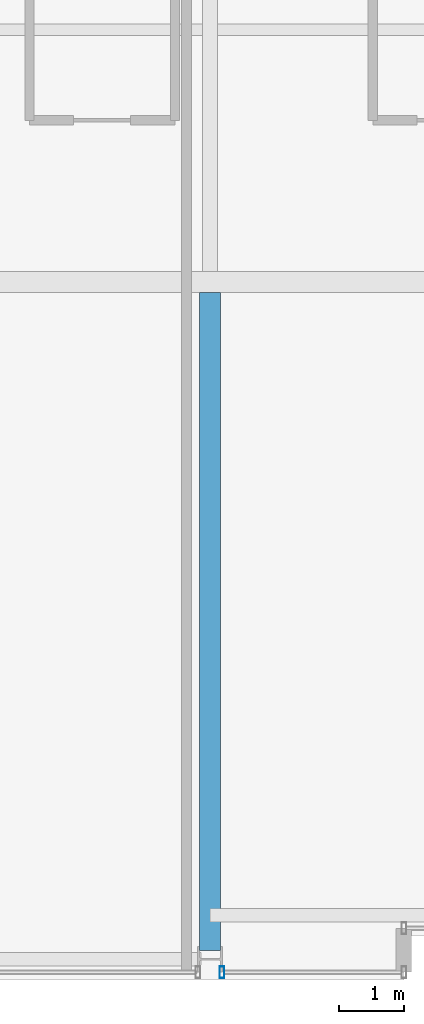
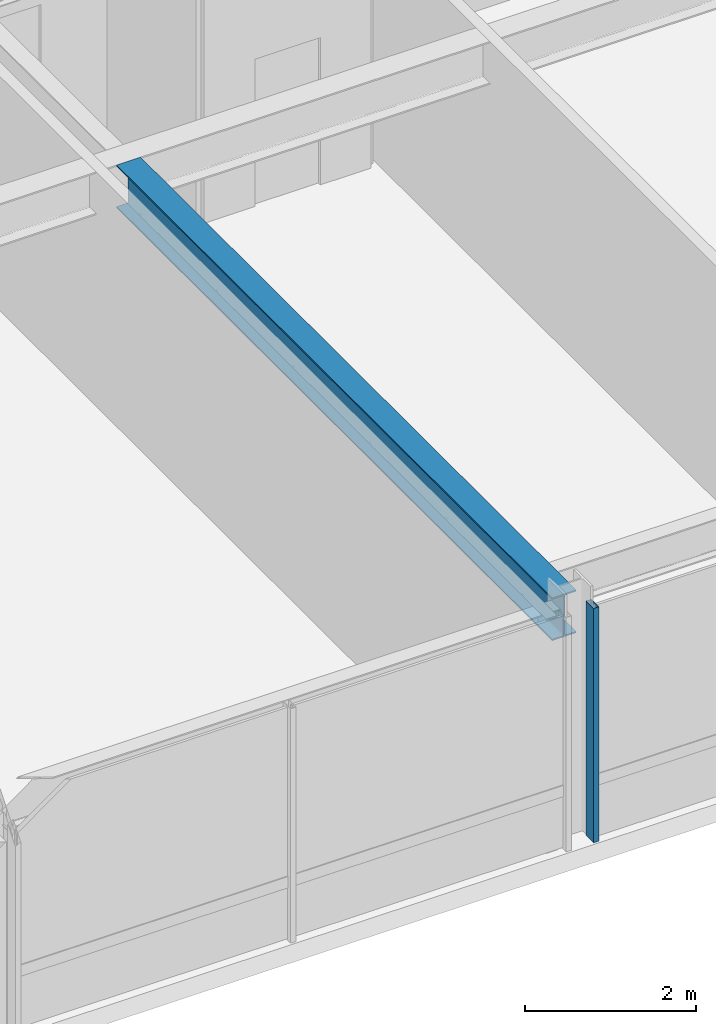
# One storey, part 3 of 32: 1 beam, 1 member, 1 element without a shape of its own.
"""IFC4 building model written with IfcOpenShell, lengths in metres."""

from ifc_helpers import new_model, si_unit, direction, frame, origin, origin_2d, place, context, subcontext, project, spatial, hollow_rectangle, i_section, extrude, material, layer, layer_set, material_profile, profile_set, type_object, element, aggregate, save


model = new_model("IFC4")

# Units and contexts
model_context = context("Model", 3, precision=1e-05, world=origin(), true_north=direction((0.0, 1.0)))
body_context = subcontext(model_context, "Body", "Model", "MODEL_VIEW")
ifc_project = project(units=[si_unit("LENGTHUNIT", "METRE"), si_unit("AREAUNIT", "SQUARE_METRE"), si_unit("VOLUMEUNIT", "CUBIC_METRE"), si_unit("PLANEANGLEUNIT", "RADIAN"), si_unit("MASSUNIT", "GRAM", prefix="KILO")], contexts=[model_context])

# Site, building, storey
site_placement = place(None, origin())
site = spatial("IfcSite", under=ifc_project, at=site_placement, CompositionType="ELEMENT")
building_placement = place(site_placement, origin())
building = spatial("IfcBuilding", under=site, at=building_placement, Name="Drelvath Grand Hotel", CompositionType="ELEMENT")
storey_placement = place(building_placement, frame((0.0, 0.0, 226.699951171875)))
storey = spatial("IfcBuildingStorey", under=building, at=storey_placement, Name="L59", CompositionType="ELEMENT", Elevation=226.699951171875)

# Curtain wall, member
ifc_material_1 = material(Name="Platinum-Mist Anodised Aluminium Frame", Category="aluminium")
ifc_layer = layer(ifc_material_1, 0.199951171875)
ifc_layer_set = layer_set([ifc_layer], Name="Platinum-Mist Anodised Aluminium Frame")
curtain_wall_type = type_object("IfcCurtainWallType", Name="Stick Curtain Wall CW-05 Platinum Mist High-Rise", PredefinedType="NOTDEFINED", material=ifc_layer_set)
curtain_wall_placement = place(storey_placement, origin())
curtain_wall = element("IfcCurtainWall", 1, at=curtain_wall_placement, inside=storey, type_object=curtain_wall_type, Name="L59 CW-05 Curtain Wall CW05-L59-SW3", PredefinedType="NOTDEFINED")
ifc_material_profile_1 = material_profile(ifc_material_1, hollow_rectangle(XDim=0.074951171875, YDim=0.179931640625, WallThickness=0.0048828125, at=origin_2d()), Name="HSS180X75X5")
ifc_profile_set_1 = profile_set([ifc_material_profile_1], Name="Platinum-Mist Anodised Aluminium Frame")
member_type = type_object("IfcMemberType", Name="Curtain Wall Vertical Mullion CW-05 HSS180X75X5", PredefinedType="MULLION", material=ifc_profile_set_1)
member_placement = place(storey_placement, frame((-8.214599609375, 0.1201171875, 0.0), z_axis=(0.0, 0.0, 1.0), x_axis=(1.0, 0.0, 0.0)))
member = element("IfcMember", 2, at=member_placement, type_object=member_type, Name="CW05-L59-SW3 Mullion 2", PredefinedType="MULLION", context=body_context, shape_type="SweptSolid", body=[
    extrude(hollow_rectangle(XDim=0.074951171875, YDim=0.179931640625, WallThickness=0.0048828125, at=origin_2d()), origin(), (0.0, 0.0, 1.0), 3.340087890625),
])
aggregate(curtain_wall, [member])

# Beam
ifc_material_2 = material(Name="Steel ASTM A992 Gr 50", Category="steel")
ifc_material_profile_2 = material_profile(ifc_material_2, i_section(OverallWidth=0.323974609375, OverallDepth=0.611083984375, WebThickness=0.0126953125, FlangeThickness=0.01904296875, FilletRadius=0.02197265625, at=origin_2d()), Name="W24X104")
ifc_profile_set_2 = profile_set([ifc_material_profile_2], Name="Steel ASTM A992 Gr 50")
beam_type = type_object("IfcBeamType", Name="Primary Floor Girder W24X104", PredefinedType="BEAM", material=ifc_profile_set_2)
beam_placement = place(storey_placement, frame((-8.39990234375, 0.4599609375, 3.034423828125), z_axis=(0.0, 1.0, 0.0), x_axis=(-1.0, 0.0, 0.0)))
element("IfcBeam", 3, at=beam_placement, inside=storey, type_object=beam_type, Name="L59 South Wing Girder 4", PredefinedType="BEAM", context=body_context, shape_type="SweptSolid", body=[
    extrude(i_section(OverallWidth=0.323974609375, OverallDepth=0.611083984375, WebThickness=0.0126953125, FlangeThickness=0.01904296875, FilletRadius=0.02197265625, at=origin_2d()), origin(), (0.0, 0.0, 1.0), 10.177978515625),
])

save(model, "model.ifc")
